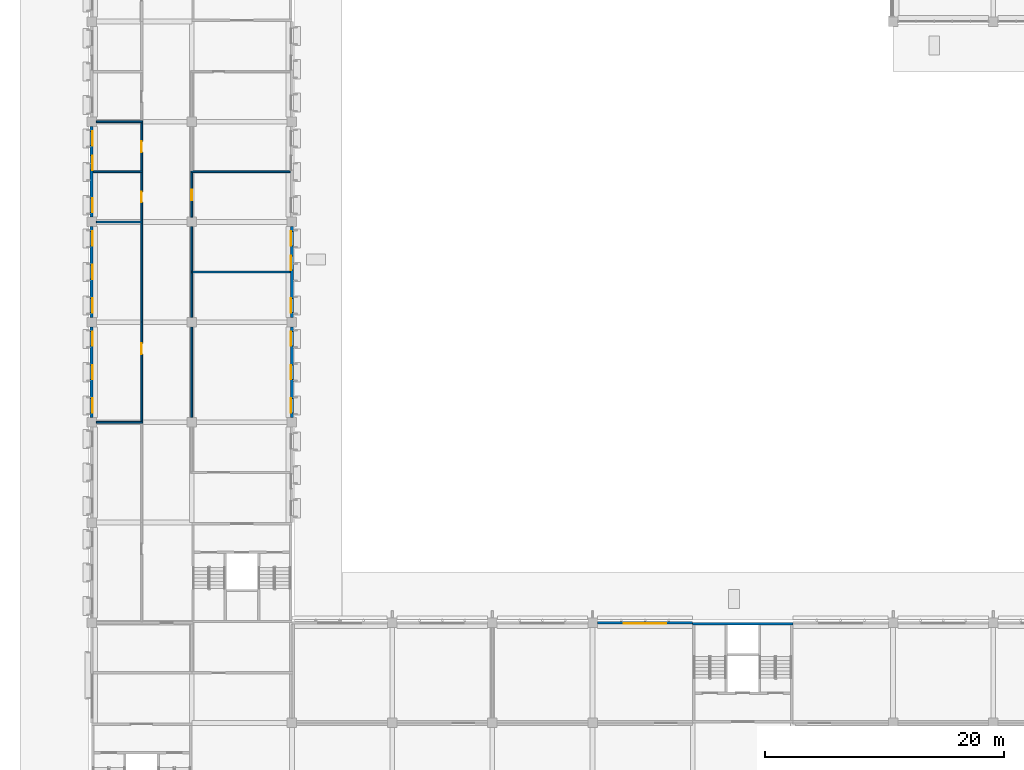
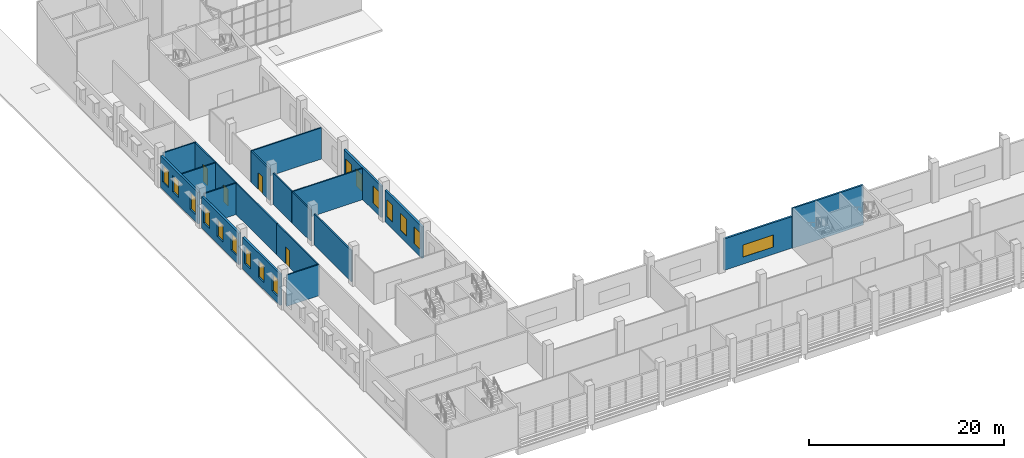
# One storey, part 30 of 101: 21 walls, 16 windows, 4 doors, 20 openings.
"""IFC4 building model written with IfcOpenShell, lengths in metres."""

import ifcopenshell
import ifcopenshell.guid

model = None  # the IFC model being written
_history = None  # IfcOwnerHistory: only IFC2X3 demands one
_inside = {}  # id of a spatial element -> (the spatial element, [elements in it])
_under = {}  # id of a project, library or spatial element -> (it, [spatial elements below it])
_declared = {}  # id of a project -> (the project, [libraries it declares])
_typed = {}  # id of a type object -> (the type object, [elements of that type])
_made_of = {}  # id of a material, layer set ... -> (it, [elements and type objects made of it])


def new_model(schema):
    """Start an empty IFC model of exactly this schema.

    Asked for "IFC4X3", IfcOpenShell would pick the latest addendum, in which some entities
    have other attributes; the version numbers below select the first issue.
    IFC2X3 requires an IfcOwnerHistory on every rooted entity: one is made here for all.
    """
    global model, _history
    if schema == "IFC4X3":
        model = ifcopenshell.file(schema_version=(4, 3, 0, 0))
    else:
        model = ifcopenshell.file(schema=schema)
    _inside.clear()
    _under.clear()
    _declared.clear()
    _typed.clear()
    _made_of.clear()
    _history = None
    if model.schema == "IFC2X3":
        org = make("IfcOrganization", Name="unknown")
        user = make(
            "IfcPersonAndOrganization",
            ThePerson=make("IfcPerson", FamilyName="unknown"),
            TheOrganization=org,
        )
        app = make(
            "IfcApplication",
            ApplicationDeveloper=org,
            Version="unknown",
            ApplicationFullName="unknown",
            ApplicationIdentifier="unknown",
        )
        _history = make(
            "IfcOwnerHistory",
            OwningUser=user,
            OwningApplication=app,
            ChangeAction="ADDED",
            CreationDate=0,
        )
    return model


def make(cls, **values):
    """One entity of the class cls with the attributes given. An attribute that is None is left unset."""
    return model.create_entity(
        cls, **{name: value for name, value in values.items() if value is not None}
    )


def rooted(cls, **values):
    """An entity with a GlobalId (a new one), such as an element, a storey or a relation."""
    return make(cls, GlobalId=ifcopenshell.guid.new(), OwnerHistory=_history, **values)


def si_unit(unit_type, name, prefix=None):
    """IfcSIUnit, for example si_unit("LENGTHUNIT", "METRE", prefix="MILLI")."""
    return make("IfcSIUnit", UnitType=unit_type, Prefix=prefix, Name=name)


def assignment(units):
    """IfcUnitAssignment: the units of a project."""
    return None if units is None else make("IfcUnitAssignment", Units=units)


def point(xyz):
    """IfcCartesianPoint."""
    return None if xyz is None else make("IfcCartesianPoint", Coordinates=xyz)


def direction(xyz):
    """IfcDirection."""
    return None if xyz is None else make("IfcDirection", DirectionRatios=xyz)


def frame(location, z_axis=None, x_axis=None):
    """IfcAxis2Placement3D, a coordinate frame: its origin and axes. An axis left out is left unset."""
    return make(
        "IfcAxis2Placement3D",
        Location=point(location),
        Axis=direction(z_axis),
        RefDirection=direction(x_axis),
    )


def frame_2d(location, x_axis=None):
    """IfcAxis2Placement2D, a coordinate frame in the plane: its origin and x axis."""
    return make(
        "IfcAxis2Placement2D", Location=point(location), RefDirection=direction(x_axis)
    )


def origin():
    """The frame at (0, 0, 0) with its axes left unset."""
    return frame((0.0, 0.0, 0.0))


def place(relative_to, where):
    """IfcLocalPlacement: puts the frame where relative to a parent placement (None: the world)."""
    return make(
        "IfcLocalPlacement", PlacementRelTo=relative_to, RelativePlacement=where
    )


def context(
    kind, dimensions, precision=None, world=None, true_north=None, identifier=None
):
    """IfcGeometricRepresentationContext, for example the 3D "Model" context."""
    return make(
        "IfcGeometricRepresentationContext",
        ContextIdentifier=identifier,
        ContextType=kind,
        CoordinateSpaceDimension=dimensions,
        Precision=precision,
        WorldCoordinateSystem=world,
        TrueNorth=true_north,
    )


def subcontext(parent, identifier, kind, view, scale=None):
    """IfcGeometricRepresentationSubContext, for example "Body" below "Model"."""
    return make(
        "IfcGeometricRepresentationSubContext",
        ContextIdentifier=identifier,
        ContextType=kind,
        ParentContext=parent,
        TargetScale=scale,
        TargetView=view,
    )


def project(units=None, contexts=None):
    """IfcProject with its units and contexts."""
    return rooted(
        "IfcProject",
        Name="project",
        RepresentationContexts=contexts,
        UnitsInContext=assignment(units),
    )


def spatial(cls, under=None, at=None, **own):
    """A site, building, storey or space (cls), placed at a placement, below another one or the project."""
    s = rooted(cls, ObjectPlacement=at, **own)
    if under is not None:
        _under.setdefault(under.id(), (under, []))[1].append(s)
    return s


def profile(cls, at=None, kind="AREA", **sizes):
    """A parametric profile (cls). Its sizes go by their IFC names, for example OverallWidth=200.0."""
    return make(cls, ProfileType=kind, Position=at, **sizes)


def rectangle(**sizes):
    """IfcRectangleProfileDef."""
    return profile("IfcRectangleProfileDef", **sizes)


def extrude(swept, where, along, depth):
    """IfcExtrudedAreaSolid: the profile swept, set in the frame where, extruded along a direction by depth."""
    return make(
        "IfcExtrudedAreaSolid",
        SweptArea=swept,
        Position=where,
        ExtrudedDirection=direction(along),
        Depth=depth,
    )


def shape(context_of_items, identifier, shape_type, items):
    """IfcShapeRepresentation: the items that make up one representation, for example the "Body"."""
    return make(
        "IfcShapeRepresentation",
        ContextOfItems=context_of_items,
        RepresentationIdentifier=identifier,
        RepresentationType=shape_type,
        Items=items,
    )


def material(Name=None, Category=None):
    """IfcMaterial."""
    return make("IfcMaterial", Name=Name, Category=Category)


def layer(
    of_material, thickness, ventilated=None, Name=None, Category=None, Priority=None
):
    """IfcMaterialLayer: one layer of a wall or slab, of a material (None: an air gap)."""
    return make(
        "IfcMaterialLayer",
        Material=of_material,
        LayerThickness=thickness,
        IsVentilated=ventilated,
        Name=Name,
        Category=Category,
        Priority=Priority,
    )


def layer_set(layers, Name=None):
    """IfcMaterialLayerSet."""
    return make("IfcMaterialLayerSet", MaterialLayers=layers, LayerSetName=Name)


def made_of(thing, what):
    """Note that an element or type object is made of a material, layer set ...; save() writes the relation."""
    if what is not None:
        _made_of.setdefault(what.id(), (what, []))[1].append(thing)
    return thing


def type_object(cls, material=None, **own):
    """A type object (cls), such as IfcWallType, which elements share."""
    return made_of(rooted(cls, **own), material)


def element(
    cls,
    number,
    at=None,
    inside=None,
    cuts=None,
    type_object=None,
    material=None,
    context=None,
    identifier="Body",
    shape_type=None,
    held_by="IfcProductDefinitionShape",
    body=None,
    shapes=None,
    **own,
):
    """One element of the class cls, such as IfcWall. Its Tag is "e" and its number.

    at: its placement. inside: the storey or other place that contains it. cuts: it is an
    opening in that element (IfcRelVoidsElement). A single representation is given by context,
    identifier, shape_type and body (its items); several are given by shapes. held_by: the class
    of the entity that holds the representations. save() writes the other relations.
    """
    e = rooted(cls, Tag="e%d" % number, ObjectPlacement=at, **own)
    if body is not None:
        shapes = [shape(context, identifier, shape_type, body)]
    if shapes is not None:
        e.Representation = make(held_by, Representations=shapes)
    if inside is not None:
        _inside.setdefault(inside.id(), (inside, []))[1].append(e)
    if cuts is not None:
        rooted(
            "IfcRelVoidsElement", RelatingBuildingElement=cuts, RelatedOpeningElement=e
        )
    if type_object is not None:
        _typed.setdefault(type_object.id(), (type_object, []))[1].append(e)
    return made_of(e, material)


def fill(opening, filler):
    """IfcRelFillsElement: the door or window that sits in an opening."""
    return rooted(
        "IfcRelFillsElement",
        RelatingOpeningElement=opening,
        RelatedBuildingElement=filler,
    )


def aggregate(whole, parts):
    """IfcRelAggregates: a whole, such as a stair, and the parts it consists of."""
    return rooted("IfcRelAggregates", RelatingObject=whole, RelatedObjects=parts)


def save(model, path):
    """Write the relations noted so far, then the file.

    IfcRelAggregates (storeys below a building ...), IfcRelContainedInSpatialStructure (elements
    in a storey), IfcRelDefinesByType, IfcRelAssociatesMaterial and IfcRelDeclares: one each for
    every whole, place, type object, material and project.
    """
    for whole, parts in _under.values():
        aggregate(whole, parts)
    for where, things in _inside.values():
        rooted(
            "IfcRelContainedInSpatialStructure",
            RelatedElements=things,
            RelatingStructure=where,
        )
    for kind, things in _typed.values():
        rooted("IfcRelDefinesByType", RelatedObjects=things, RelatingType=kind)
    for what, things in _made_of.values():
        rooted("IfcRelAssociatesMaterial", RelatedObjects=things, RelatingMaterial=what)
    for by, libraries in _declared.values():
        rooted("IfcRelDeclares", RelatingContext=by, RelatedDefinitions=libraries)
    model.write(path)


model = new_model("IFC4")

# Units and contexts
model_context = context("Model", 3, precision=1e-05, world=origin(), true_north=direction((0.0, 1.0)))
body_context = subcontext(model_context, "Body", "Model", "MODEL_VIEW")
ifc_project = project(units=[si_unit("LENGTHUNIT", "METRE"), si_unit("AREAUNIT", "SQUARE_METRE"), si_unit("VOLUMEUNIT", "CUBIC_METRE"), si_unit("PLANEANGLEUNIT", "RADIAN"), si_unit("MASSUNIT", "GRAM", prefix="KILO")], contexts=[model_context])

# Site, building, storey
site_placement = place(None, origin())
site = spatial("IfcSite", under=ifc_project, at=site_placement, CompositionType="ELEMENT")
building_placement = place(site_placement, origin())
building = spatial("IfcBuilding", under=site, at=building_placement, Name="Almond Square Museum", CompositionType="ELEMENT")
storey_placement = place(building_placement, frame((0.0, 0.0, 5.5)))
storey = spatial("IfcBuildingStorey", under=building, at=storey_placement, Name="L01", CompositionType="ELEMENT", Elevation=5.5)

# Walls
ifc_material_1 = material(Name="Plasterboard on steel stud", Category="steel")
ifc_layer_1 = layer(ifc_material_1, 0.14990234375)
ifc_layer_set_1 = layer_set([ifc_layer_1], Name="Plasterboard on steel stud")
wall_type_1 = type_object("IfcWallType", Name="Partition 150 plasterboard on steel stud", PredefinedType="PARTITIONING", material=ifc_layer_set_1)
wall_1_placement = place(storey_placement, frame((6.39990234375, 58.800048828125, 0.0), z_axis=(0.0, 0.0, 1.0), x_axis=(1.0, 0.0, 0.0)))
element("IfcWall", 1, at=wall_1_placement, inside=storey, type_object=wall_type_1, Name="L01 partition 41", PredefinedType="PARTITIONING", context=body_context, shape_type="SweptSolid", body=[
    extrude(rectangle(XDim=3.875, YDim=0.14990234375, at=frame_2d((1.9375, 0.0))), origin(), (0.0, 0.0, 1.0), 3.89990234375),
])
wall_2_placement = place(storey_placement, frame((6.14990234375, 54.60009765625, 0.0), z_axis=(0.0, 0.0, 1.0), x_axis=(1.0, 0.0, 0.0)))
element("IfcWall", 2, at=wall_2_placement, inside=storey, type_object=wall_type_1, Name="L01 partition 43", PredefinedType="PARTITIONING", context=body_context, shape_type="SweptSolid", body=[
    extrude(rectangle(XDim=4.125, YDim=0.14990234375, at=frame_2d((2.0625, 0.0))), origin(), (0.0, 0.0, 1.0), 3.89990234375),
])

# Wall, opening, door
wall_3_placement = place(storey_placement, frame((10.199951171875, 54.675048828125, 0.0), z_axis=(0.0, 0.0, 1.0), x_axis=(0.0, 1.0, 0.0)))
wall_3 = element("IfcWall", 3, at=wall_3_placement, inside=storey, type_object=wall_type_1, Name="L01 partition 44", PredefinedType="PARTITIONING", context=body_context, shape_type="SweptSolid", body=[
    extrude(rectangle(XDim=4.050048828125, YDim=0.14990234375, at=frame_2d((2.02490234375, 0.0))), origin(), (0.0, 0.0, 1.0), 3.89990234375),
])
opening_1_placement = place(wall_3_placement, frame((1.574951171875, 0.0, 0.0)))
opening_1 = element("IfcOpeningElement", 4, at=opening_1_placement, cuts=wall_3, Name="Opening D1112", PredefinedType="OPENING", context=body_context, shape_type="SweptSolid", body=[
    extrude(rectangle(XDim=0.89990234375, YDim=2.10009765625, at=frame_2d((0.449951171875, 1.050048828125))), frame((0.0, 0.0849609375, 0.0), z_axis=(0.0, -1.0, 0.0), x_axis=(1.0, 0.0, 0.0)), (0.0, 0.0, 1.0), 0.169921875),
])
ifc_material_2 = material(Name="Timber", Category="wood")
door_type = type_object("IfcDoorType", Name="Door 900 x 2100 timber single", OperationType="NOTDEFINED", PredefinedType="DOOR", material=ifc_material_2)
door_1_placement = place(opening_1_placement, origin())
door_1 = element("IfcDoor", 5, at=door_1_placement, inside=storey, type_object=door_type, Name="L01 door Men's WC 2 to Wing Corridor 3", OperationType="SINGLE_SWING_LEFT", OverallHeight=2.10009765625, OverallWidth=0.89990234375, PredefinedType="DOOR", context=body_context, shape_type="SweptSolid", body=[
    extrude(rectangle(XDim=0.89990234375, YDim=2.10009765625, at=frame_2d((0.449951171875, 1.050048828125))), frame((0.0, 0.02490234375, 0.0), z_axis=(0.0, -1.0, 0.0), x_axis=(1.0, 0.0, 0.0)), (0.0, 0.0, 1.0), 0.050048828125),
])
fill(opening_1, door_1)

# Wall
wall_4_placement = place(storey_placement, frame((14.324951171875, 54.60009765625, 0.0), z_axis=(0.0, 0.0, 1.0), x_axis=(1.0, 0.0, 0.0)))
element("IfcWall", 6, at=wall_4_placement, inside=storey, type_object=wall_type_1, Name="L01 partition 45", PredefinedType="PARTITIONING", context=body_context, shape_type="SweptSolid", body=[
    extrude(rectangle(XDim=8.324951171875, YDim=0.14990234375, at=frame_2d((4.16259765625, 0.0))), origin(), (0.0, 0.0, 1.0), 3.89990234375),
])

# Wall, opening, door
wall_5_placement = place(storey_placement, frame((10.199951171875, 50.47509765625, 0.0), z_axis=(0.0, 0.0, 1.0), x_axis=(0.0, 1.0, 0.0)))
wall_5 = element("IfcWall", 7, at=wall_5_placement, inside=storey, type_object=wall_type_1, Name="L01 partition 49", PredefinedType="PARTITIONING", context=body_context, shape_type="SweptSolid", body=[
    extrude(rectangle(XDim=4.0498046875, YDim=0.14990234375, at=frame_2d((2.02490234375, 0.0))), origin(), (0.0, 0.0, 1.0), 3.89990234375),
])
opening_2_placement = place(wall_5_placement, frame((1.574951171875, 0.0, 0.0)))
opening_2 = element("IfcOpeningElement", 8, at=opening_2_placement, cuts=wall_5, Name="Opening D1115", PredefinedType="OPENING", context=body_context, shape_type="SweptSolid", body=[
    extrude(rectangle(XDim=0.89990234375, YDim=2.10009765625, at=frame_2d((0.449951171875, 1.050048828125))), frame((0.0, 0.0849609375, 0.0), z_axis=(0.0, -1.0, 0.0), x_axis=(1.0, 0.0, 0.0)), (0.0, 0.0, 1.0), 0.169921875),
])
door_2_placement = place(opening_2_placement, origin())
door_2 = element("IfcDoor", 9, at=door_2_placement, inside=storey, type_object=door_type, Name="L01 door Women's WC 2 to Wing Corridor 3", OperationType="SINGLE_SWING_LEFT", OverallHeight=2.10009765625, OverallWidth=0.89990234375, PredefinedType="DOOR", context=body_context, shape_type="SweptSolid", body=[
    extrude(rectangle(XDim=0.89990234375, YDim=2.10009765625, at=frame_2d((0.449951171875, 1.050048828125))), frame((0.0, 0.02490234375, 0.0), z_axis=(0.0, -1.0, 0.0), x_axis=(1.0, 0.0, 0.0)), (0.0, 0.0, 1.0), 0.050048828125),
])
fill(opening_2, door_2)

# Walls
wall_6_placement = place(storey_placement, frame((6.39990234375, 50.39990234375, 0.0), z_axis=(0.0, 0.0, 1.0), x_axis=(1.0, 0.0, 0.0)))
element("IfcWall", 10, at=wall_6_placement, inside=storey, type_object=wall_type_1, Name="L01 partition 50", PredefinedType="PARTITIONING", context=body_context, shape_type="SweptSolid", body=[
    extrude(rectangle(XDim=3.875, YDim=0.14990234375, at=frame_2d((1.9375, 0.0))), origin(), (0.0, 0.0, 1.0), 3.89990234375),
])
wall_7_placement = place(storey_placement, frame((14.39990234375, 46.27490234375, 0.0), z_axis=(0.0, 0.0, 1.0), x_axis=(0.0, 1.0, 0.0)))
element("IfcWall", 11, at=wall_7_placement, inside=storey, type_object=wall_type_1, Name="L01 partition 51", PredefinedType="PARTITIONING", context=body_context, shape_type="SweptSolid", body=[
    extrude(rectangle(XDim=3.72509765625, YDim=0.14990234375, at=frame_2d((1.862548828125, 0.0))), origin(), (0.0, 0.0, 1.0), 3.89990234375),
])

# Wall, opening, door
wall_8_placement = place(storey_placement, frame((14.39990234375, 50.800048828125, 0.0), z_axis=(0.0, 0.0, 1.0), x_axis=(0.0, 1.0, 0.0)))
wall_8 = element("IfcWall", 12, at=wall_8_placement, inside=storey, type_object=wall_type_1, Name="L01 partition 52", PredefinedType="PARTITIONING", context=body_context, shape_type="SweptSolid", body=[
    extrude(rectangle(XDim=3.724853515625, YDim=0.14990234375, at=frame_2d((1.8623046875, 0.0))), origin(), (0.0, 0.0, 1.0), 3.89990234375),
])
opening_3_placement = place(wall_8_placement, frame((1.41259765625, 0.0, 0.0)))
opening_3 = element("IfcOpeningElement", 13, at=opening_3_placement, cuts=wall_8, Name="Opening D1116", PredefinedType="OPENING", context=body_context, shape_type="SweptSolid", body=[
    extrude(rectangle(XDim=0.89990234375, YDim=2.10009765625, at=frame_2d((0.449951171875, 1.050048828125))), frame((0.0, 0.0849609375, 0.0), z_axis=(0.0, -1.0, 0.0), x_axis=(1.0, 0.0, 0.0)), (0.0, 0.0, 1.0), 0.169921875),
])
door_3_placement = place(opening_3_placement, origin())
door_3 = element("IfcDoor", 14, at=door_3_placement, inside=storey, type_object=door_type, Name="L01 door Study Room 2 to Wing Corridor 3", OperationType="SINGLE_SWING_RIGHT", OverallHeight=2.10009765625, OverallWidth=0.89990234375, PredefinedType="DOOR", context=body_context, shape_type="SweptSolid", body=[
    extrude(rectangle(XDim=0.89990234375, YDim=2.10009765625, at=frame_2d((0.449951171875, 1.050048828125))), frame((0.0, 0.02490234375, 0.0), z_axis=(0.0, -1.0, 0.0), x_axis=(1.0, 0.0, 0.0)), (0.0, 0.0, 1.0), 0.050048828125),
])
fill(opening_3, door_3)

# Wall
wall_9_placement = place(storey_placement, frame((14.324951171875, 46.199951171875, 0.0), z_axis=(0.0, 0.0, 1.0), x_axis=(1.0, 0.0, 0.0)))
element("IfcWall", 15, at=wall_9_placement, inside=storey, type_object=wall_type_1, Name="L01 partition 53", PredefinedType="PARTITIONING", context=body_context, shape_type="SweptSolid", body=[
    extrude(rectangle(XDim=8.324951171875, YDim=0.14990234375, at=frame_2d((4.16259765625, 0.0))), origin(), (0.0, 0.0, 1.0), 3.89990234375),
])

# Wall, opening, door
wall_10_placement = place(storey_placement, frame((10.199951171875, 33.675048828125, 0.0), z_axis=(0.0, 0.0, 1.0), x_axis=(0.0, 1.0, 0.0)))
wall_10 = element("IfcWall", 16, at=wall_10_placement, inside=storey, type_object=wall_type_1, Name="L01 partition 54", PredefinedType="PARTITIONING", context=body_context, shape_type="SweptSolid", body=[
    extrude(rectangle(XDim=8.324951171875, YDim=0.14990234375, at=frame_2d((4.16259765625, 0.0))), origin(), (0.0, 0.0, 1.0), 3.89990234375),
])
opening_4_placement = place(wall_10_placement, frame((5.64990234375, 0.0, 0.0)))
opening_4 = element("IfcOpeningElement", 17, at=opening_4_placement, cuts=wall_10, Name="Opening D1117", PredefinedType="OPENING", context=body_context, shape_type="SweptSolid", body=[
    extrude(rectangle(XDim=0.89990234375, YDim=2.10009765625, at=frame_2d((0.449951171875, 1.050048828125))), frame((0.0, 0.0849609375, 0.0), z_axis=(0.0, -1.0, 0.0), x_axis=(1.0, 0.0, 0.0)), (0.0, 0.0, 1.0), 0.169921875),
])
door_4_placement = place(opening_4_placement, origin())
door_4 = element("IfcDoor", 18, at=door_4_placement, inside=storey, type_object=door_type, Name="L01 door Staff Meeting Room 2 to Wing Corridor 3", OperationType="SINGLE_SWING_LEFT", OverallHeight=2.10009765625, OverallWidth=0.89990234375, PredefinedType="DOOR", context=body_context, shape_type="SweptSolid", body=[
    extrude(rectangle(XDim=0.89990234375, YDim=2.10009765625, at=frame_2d((0.449951171875, 1.050048828125))), frame((0.0, 0.02490234375, 0.0), z_axis=(0.0, -1.0, 0.0), x_axis=(1.0, 0.0, 0.0)), (0.0, 0.0, 1.0), 0.050048828125),
])
fill(opening_4, door_4)

# Walls
wall_11_placement = place(storey_placement, frame((10.199951171875, 42.0, 0.0), z_axis=(0.0, 0.0, 1.0), x_axis=(0.0, 1.0, 0.0)))
element("IfcWall", 19, at=wall_11_placement, inside=storey, type_object=wall_type_1, Name="L01 partition 55", PredefinedType="PARTITIONING", context=body_context, shape_type="SweptSolid", body=[
    extrude(rectangle(XDim=8.324951171875, YDim=0.14990234375, at=frame_2d((4.16259765625, 0.0))), origin(), (0.0, 0.0, 1.0), 3.89990234375),
])
wall_12_placement = place(storey_placement, frame((14.39990234375, 34.0, 0.0), z_axis=(0.0, 0.0, 1.0), x_axis=(0.0, 1.0, 0.0)))
element("IfcWall", 20, at=wall_12_placement, inside=storey, type_object=wall_type_1, Name="L01 partition 57", PredefinedType="PARTITIONING", context=body_context, shape_type="SweptSolid", body=[
    extrude(rectangle(XDim=7.60009765625, YDim=0.14990234375, at=frame_2d((3.800048828125, 0.0))), origin(), (0.0, 0.0, 1.0), 3.89990234375),
])
wall_13_placement = place(storey_placement, frame((14.39990234375, 42.39990234375, 0.0), z_axis=(0.0, 0.0, 1.0), x_axis=(0.0, 1.0, 0.0)))
element("IfcWall", 21, at=wall_13_placement, inside=storey, type_object=wall_type_1, Name="L01 partition 58", PredefinedType="PARTITIONING", context=body_context, shape_type="SweptSolid", body=[
    extrude(rectangle(XDim=3.72509765625, YDim=0.14990234375, at=frame_2d((1.862548828125, 0.0))), origin(), (0.0, 0.0, 1.0), 3.89990234375),
])
wall_14_placement = place(storey_placement, frame((6.39990234375, 33.60009765625, 0.0), z_axis=(0.0, 0.0, 1.0), x_axis=(1.0, 0.0, 0.0)))
element("IfcWall", 22, at=wall_14_placement, inside=storey, type_object=wall_type_1, Name="L01 partition 62", PredefinedType="PARTITIONING", context=body_context, shape_type="SweptSolid", body=[
    extrude(rectangle(XDim=3.875, YDim=0.14990234375, at=frame_2d((1.9375, 0.0))), origin(), (0.0, 0.0, 1.0), 3.89990234375),
])

# Wall, openings, windows
ifc_material_3 = material(Name="Precast concrete C40/50", Category="concrete")
ifc_layer_2 = layer(ifc_material_3, 0.25)
ifc_layer_set_2 = layer_set([ifc_layer_2], Name="Precast concrete C40/50")
wall_type_2 = type_object("IfcWallType", Name="Precast concrete panel wall 250 with coral limestone piers", PredefinedType="SOLIDWALL", material=ifc_layer_set_2)
wall_15_placement = place(storey_placement, frame((22.800048828125, 34.0, 0.0), z_axis=(0.0, 0.0, 1.0), x_axis=(0.0, 1.0, 0.0)))
wall_15 = element("IfcWall", 23, at=wall_15_placement, inside=storey, type_object=wall_type_2, Name="External wall W2 V4W L01 E02", PredefinedType="SOLIDWALL", context=body_context, shape_type="SweptSolid", body=[
    extrude(rectangle(XDim=7.60009765625, YDim=0.25, at=frame_2d((3.800048828125, 0.0))), origin(), (0.0, 0.0, 1.0), 3.93994140625),
])
opening_5_placement = place(wall_15_placement, frame((0.39990234375, 0.0, 0.89990234375)))
opening_5 = element("IfcOpeningElement", 24, at=opening_5_placement, cuts=wall_15, Name="Opening W1020", PredefinedType="OPENING", context=body_context, shape_type="SweptSolid", body=[
    extrude(rectangle(XDim=1.199951171875, YDim=2.10009765625, at=frame_2d((0.60009765625, 1.050048828125))), frame((0.0, 0.135009765625, 0.0), z_axis=(0.0, -1.0, 0.0), x_axis=(1.0, 0.0, 0.0)), (0.0, 0.0, 1.0), 0.27001953125),
])
opening_6_placement = place(wall_15_placement, frame((3.199951171875, 0.0, 0.89990234375)))
opening_6 = element("IfcOpeningElement", 25, at=opening_6_placement, cuts=wall_15, Name="Opening W1021", PredefinedType="OPENING", context=body_context, shape_type="SweptSolid", body=[
    extrude(rectangle(XDim=1.199951171875, YDim=2.10009765625, at=frame_2d((0.60009765625, 1.050048828125))), frame((0.0, 0.135009765625, 0.0), z_axis=(0.0, -1.0, 0.0), x_axis=(1.0, 0.0, 0.0)), (0.0, 0.0, 1.0), 0.27001953125),
])
opening_7_placement = place(wall_15_placement, frame((6.0, 0.0, 0.89990234375)))
opening_7 = element("IfcOpeningElement", 26, at=opening_7_placement, cuts=wall_15, Name="Opening W1022", PredefinedType="OPENING", context=body_context, shape_type="SweptSolid", body=[
    extrude(rectangle(XDim=1.199951171875, YDim=2.10009765625, at=frame_2d((0.60009765625, 1.050048828125))), frame((0.0, 0.135009765625, 0.0), z_axis=(0.0, -1.0, 0.0), x_axis=(1.0, 0.0, 0.0)), (0.0, 0.0, 1.0), 0.27001953125),
])
ifc_material_4 = material(Name="Anodised aluminium louvre and laminated glass", Category="aluminium")
window_type_1 = type_object("IfcWindowType", Name="Louvred pier window", PartitioningType="SINGLE_PANEL", PredefinedType="WINDOW", material=ifc_material_4)
window_1_placement = place(opening_5_placement, origin())
window_1 = element("IfcWindow", 27, at=window_1_placement, inside=storey, type_object=window_type_1, Name="Louvred pier window W1020", OverallHeight=2.10009765625, OverallWidth=1.199951171875, PartitioningType="SINGLE_PANEL", PredefinedType="WINDOW", context=body_context, shape_type="SweptSolid", body=[
    extrude(rectangle(XDim=1.199951171875, YDim=2.10009765625, at=frame_2d((0.60009765625, 1.050048828125))), frame((0.0, 0.10498046875, 0.0), z_axis=(0.0, -1.0, 0.0), x_axis=(1.0, 0.0, 0.0)), (0.0, 0.0, 1.0), 0.06005859375),
])
fill(opening_5, window_1)
window_2_placement = place(opening_6_placement, origin())
window_2 = element("IfcWindow", 28, at=window_2_placement, inside=storey, type_object=window_type_1, Name="Louvred pier window W1021", OverallHeight=2.10009765625, OverallWidth=1.199951171875, PartitioningType="SINGLE_PANEL", PredefinedType="WINDOW", context=body_context, shape_type="SweptSolid", body=[
    extrude(rectangle(XDim=1.199951171875, YDim=2.10009765625, at=frame_2d((0.60009765625, 1.050048828125))), frame((0.0, 0.10498046875, 0.0), z_axis=(0.0, -1.0, 0.0), x_axis=(1.0, 0.0, 0.0)), (0.0, 0.0, 1.0), 0.06005859375),
])
fill(opening_6, window_2)
window_3_placement = place(opening_7_placement, origin())
window_3 = element("IfcWindow", 29, at=window_3_placement, inside=storey, type_object=window_type_1, Name="Louvred pier window W1022", OverallHeight=2.10009765625, OverallWidth=1.199951171875, PartitioningType="SINGLE_PANEL", PredefinedType="WINDOW", context=body_context, shape_type="SweptSolid", body=[
    extrude(rectangle(XDim=1.199951171875, YDim=2.10009765625, at=frame_2d((0.60009765625, 1.050048828125))), frame((0.0, 0.10498046875, 0.0), z_axis=(0.0, -1.0, 0.0), x_axis=(1.0, 0.0, 0.0)), (0.0, 0.0, 1.0), 0.06005859375),
])
fill(opening_7, window_3)

wall_16_placement = place(storey_placement, frame((22.800048828125, 42.39990234375, 0.0), z_axis=(0.0, 0.0, 1.0), x_axis=(0.0, 1.0, 0.0)))
wall_16 = element("IfcWall", 30, at=wall_16_placement, inside=storey, type_object=wall_type_2, Name="External wall W2 V4W L01 E03", PredefinedType="SOLIDWALL", context=body_context, shape_type="SweptSolid", body=[
    extrude(rectangle(XDim=7.60009765625, YDim=0.25, at=frame_2d((3.800048828125, 0.0))), origin(), (0.0, 0.0, 1.0), 3.93994140625),
])
opening_8_placement = place(wall_16_placement, frame((0.39990234375, 0.0, 0.89990234375)))
opening_8 = element("IfcOpeningElement", 31, at=opening_8_placement, cuts=wall_16, Name="Opening W1023", PredefinedType="OPENING", context=body_context, shape_type="SweptSolid", body=[
    extrude(rectangle(XDim=1.199951171875, YDim=2.10009765625, at=frame_2d((0.60009765625, 1.050048828125))), frame((0.0, 0.135009765625, 0.0), z_axis=(0.0, -1.0, 0.0), x_axis=(1.0, 0.0, 0.0)), (0.0, 0.0, 1.0), 0.27001953125),
])
opening_9_placement = place(wall_16_placement, frame((3.949951171875, 0.0, 0.89990234375)))
opening_9 = element("IfcOpeningElement", 32, at=opening_9_placement, cuts=wall_16, Name="Opening W1024", PredefinedType="OPENING", context=body_context, shape_type="SweptSolid", body=[
    extrude(rectangle(XDim=1.199951171875, YDim=2.10009765625, at=frame_2d((0.60009765625, 1.050048828125))), frame((0.0, 0.135009765625, 0.0), z_axis=(0.0, -1.0, 0.0), x_axis=(1.0, 0.0, 0.0)), (0.0, 0.0, 1.0), 0.27001953125),
])
opening_10_placement = place(wall_16_placement, frame((6.0, 0.0, 0.89990234375)))
opening_10 = element("IfcOpeningElement", 33, at=opening_10_placement, cuts=wall_16, Name="Opening W1025", PredefinedType="OPENING", context=body_context, shape_type="SweptSolid", body=[
    extrude(rectangle(XDim=1.199951171875, YDim=2.10009765625, at=frame_2d((0.60009765625, 1.050048828125))), frame((0.0, 0.135009765625, 0.0), z_axis=(0.0, -1.0, 0.0), x_axis=(1.0, 0.0, 0.0)), (0.0, 0.0, 1.0), 0.27001953125),
])
window_4_placement = place(opening_8_placement, origin())
window_4 = element("IfcWindow", 34, at=window_4_placement, inside=storey, type_object=window_type_1, Name="Louvred pier window W1023", OverallHeight=2.10009765625, OverallWidth=1.199951171875, PartitioningType="SINGLE_PANEL", PredefinedType="WINDOW", context=body_context, shape_type="SweptSolid", body=[
    extrude(rectangle(XDim=1.199951171875, YDim=2.10009765625, at=frame_2d((0.60009765625, 1.050048828125))), frame((0.0, 0.10498046875, 0.0), z_axis=(0.0, -1.0, 0.0), x_axis=(1.0, 0.0, 0.0)), (0.0, 0.0, 1.0), 0.06005859375),
])
fill(opening_8, window_4)
window_5_placement = place(opening_9_placement, origin())
window_5 = element("IfcWindow", 35, at=window_5_placement, inside=storey, type_object=window_type_1, Name="Louvred pier window W1024", OverallHeight=2.10009765625, OverallWidth=1.199951171875, PartitioningType="SINGLE_PANEL", PredefinedType="WINDOW", context=body_context, shape_type="SweptSolid", body=[
    extrude(rectangle(XDim=1.199951171875, YDim=2.10009765625, at=frame_2d((0.60009765625, 1.050048828125))), frame((0.0, 0.10498046875, 0.0), z_axis=(0.0, -1.0, 0.0), x_axis=(1.0, 0.0, 0.0)), (0.0, 0.0, 1.0), 0.06005859375),
])
fill(opening_9, window_5)
window_6_placement = place(opening_10_placement, origin())
window_6 = element("IfcWindow", 36, at=window_6_placement, inside=storey, type_object=window_type_1, Name="Louvred pier window W1025", OverallHeight=2.10009765625, OverallWidth=1.199951171875, PartitioningType="SINGLE_PANEL", PredefinedType="WINDOW", context=body_context, shape_type="SweptSolid", body=[
    extrude(rectangle(XDim=1.199951171875, YDim=2.10009765625, at=frame_2d((0.60009765625, 1.050048828125))), frame((0.0, 0.10498046875, 0.0), z_axis=(0.0, -1.0, 0.0), x_axis=(1.0, 0.0, 0.0)), (0.0, 0.0, 1.0), 0.06005859375),
])
fill(opening_10, window_6)

wall_17_placement = place(storey_placement, frame((6.0, 50.800048828125, 0.0), z_axis=(0.0, 0.0, 1.0), x_axis=(0.0, 1.0, 0.0)))
wall_17 = element("IfcWall", 37, at=wall_17_placement, inside=storey, type_object=wall_type_2, Name="External wall W2 V4W L01 W03", PredefinedType="SOLIDWALL", context=body_context, shape_type="SweptSolid", body=[
    extrude(rectangle(XDim=7.599853515625, YDim=0.25, at=frame_2d((3.7998046875, 0.0))), origin(), (0.0, 0.0, 1.0), 3.93994140625),
])
opening_11_placement = place(wall_17_placement, frame((0.39990234375, 0.0, 0.89990234375)))
opening_11 = element("IfcOpeningElement", 38, at=opening_11_placement, cuts=wall_17, Name="Opening W1044", PredefinedType="OPENING", context=body_context, shape_type="SweptSolid", body=[
    extrude(rectangle(XDim=1.199951171875, YDim=2.10009765625, at=frame_2d((0.60009765625, 1.050048828125))), frame((0.0, 0.135009765625, 0.0), z_axis=(0.0, -1.0, 0.0), x_axis=(1.0, 0.0, 0.0)), (0.0, 0.0, 1.0), 0.27001953125),
])
opening_12_placement = place(wall_17_placement, frame((3.949951171875, 0.0, 0.89990234375)))
opening_12 = element("IfcOpeningElement", 39, at=opening_12_placement, cuts=wall_17, Name="Opening W1045", PredefinedType="OPENING", context=body_context, shape_type="SweptSolid", body=[
    extrude(rectangle(XDim=1.199951171875, YDim=2.10009765625, at=frame_2d((0.60009765625, 1.050048828125))), frame((0.0, 0.135009765625, 0.0), z_axis=(0.0, -1.0, 0.0), x_axis=(1.0, 0.0, 0.0)), (0.0, 0.0, 1.0), 0.27001953125),
])
opening_13_placement = place(wall_17_placement, frame((6.0, 0.0, 0.89990234375)))
opening_13 = element("IfcOpeningElement", 40, at=opening_13_placement, cuts=wall_17, Name="Opening W1046", PredefinedType="OPENING", context=body_context, shape_type="SweptSolid", body=[
    extrude(rectangle(XDim=1.199951171875, YDim=2.10009765625, at=frame_2d((0.60009765625, 1.050048828125))), frame((0.0, 0.135009765625, 0.0), z_axis=(0.0, -1.0, 0.0), x_axis=(1.0, 0.0, 0.0)), (0.0, 0.0, 1.0), 0.27001953125),
])
window_7_placement = place(opening_11_placement, origin())
window_7 = element("IfcWindow", 41, at=window_7_placement, inside=storey, type_object=window_type_1, Name="Louvred pier window W1044", OverallHeight=2.10009765625, OverallWidth=1.199951171875, PartitioningType="SINGLE_PANEL", PredefinedType="WINDOW", context=body_context, shape_type="SweptSolid", body=[
    extrude(rectangle(XDim=1.199951171875, YDim=2.10009765625, at=frame_2d((0.60009765625, 1.050048828125))), frame((0.0, -0.044921875, 0.0), z_axis=(0.0, -1.0, 0.0), x_axis=(1.0, 0.0, 0.0)), (0.0, 0.0, 1.0), 0.06005859375),
])
fill(opening_11, window_7)
window_8_placement = place(opening_12_placement, origin())
window_8 = element("IfcWindow", 42, at=window_8_placement, inside=storey, type_object=window_type_1, Name="Louvred pier window W1045", OverallHeight=2.10009765625, OverallWidth=1.199951171875, PartitioningType="SINGLE_PANEL", PredefinedType="WINDOW", context=body_context, shape_type="SweptSolid", body=[
    extrude(rectangle(XDim=1.199951171875, YDim=2.10009765625, at=frame_2d((0.60009765625, 1.050048828125))), frame((0.0, -0.044921875, 0.0), z_axis=(0.0, -1.0, 0.0), x_axis=(1.0, 0.0, 0.0)), (0.0, 0.0, 1.0), 0.06005859375),
])
fill(opening_12, window_8)
window_9_placement = place(opening_13_placement, origin())
window_9 = element("IfcWindow", 43, at=window_9_placement, inside=storey, type_object=window_type_1, Name="Louvred pier window W1046", OverallHeight=2.10009765625, OverallWidth=1.199951171875, PartitioningType="SINGLE_PANEL", PredefinedType="WINDOW", context=body_context, shape_type="SweptSolid", body=[
    extrude(rectangle(XDim=1.199951171875, YDim=2.10009765625, at=frame_2d((0.60009765625, 1.050048828125))), frame((0.0, -0.044921875, 0.0), z_axis=(0.0, -1.0, 0.0), x_axis=(1.0, 0.0, 0.0)), (0.0, 0.0, 1.0), 0.06005859375),
])
fill(opening_13, window_9)

wall_18_placement = place(storey_placement, frame((6.0, 42.39990234375, 0.0), z_axis=(0.0, 0.0, 1.0), x_axis=(0.0, 1.0, 0.0)))
wall_18 = element("IfcWall", 44, at=wall_18_placement, inside=storey, type_object=wall_type_2, Name="External wall W2 V4W L01 W04", PredefinedType="SOLIDWALL", context=body_context, shape_type="SweptSolid", body=[
    extrude(rectangle(XDim=7.60009765625, YDim=0.25, at=frame_2d((3.800048828125, 0.0))), origin(), (0.0, 0.0, 1.0), 3.93994140625),
])
opening_14_placement = place(wall_18_placement, frame((0.39990234375, 0.0, 0.89990234375)))
opening_14 = element("IfcOpeningElement", 45, at=opening_14_placement, cuts=wall_18, Name="Opening W1047", PredefinedType="OPENING", context=body_context, shape_type="SweptSolid", body=[
    extrude(rectangle(XDim=1.199951171875, YDim=2.10009765625, at=frame_2d((0.60009765625, 1.050048828125))), frame((0.0, 0.135009765625, 0.0), z_axis=(0.0, -1.0, 0.0), x_axis=(1.0, 0.0, 0.0)), (0.0, 0.0, 1.0), 0.27001953125),
])
opening_15_placement = place(wall_18_placement, frame((3.199951171875, 0.0, 0.89990234375)))
opening_15 = element("IfcOpeningElement", 46, at=opening_15_placement, cuts=wall_18, Name="Opening W1048", PredefinedType="OPENING", context=body_context, shape_type="SweptSolid", body=[
    extrude(rectangle(XDim=1.199951171875, YDim=2.10009765625, at=frame_2d((0.60009765625, 1.050048828125))), frame((0.0, 0.135009765625, 0.0), z_axis=(0.0, -1.0, 0.0), x_axis=(1.0, 0.0, 0.0)), (0.0, 0.0, 1.0), 0.27001953125),
])
opening_16_placement = place(wall_18_placement, frame((6.0, 0.0, 0.89990234375)))
opening_16 = element("IfcOpeningElement", 47, at=opening_16_placement, cuts=wall_18, Name="Opening W1049", PredefinedType="OPENING", context=body_context, shape_type="SweptSolid", body=[
    extrude(rectangle(XDim=1.199951171875, YDim=2.10009765625, at=frame_2d((0.60009765625, 1.050048828125))), frame((0.0, 0.135009765625, 0.0), z_axis=(0.0, -1.0, 0.0), x_axis=(1.0, 0.0, 0.0)), (0.0, 0.0, 1.0), 0.27001953125),
])
window_10_placement = place(opening_14_placement, origin())
window_10 = element("IfcWindow", 48, at=window_10_placement, inside=storey, type_object=window_type_1, Name="Louvred pier window W1047", OverallHeight=2.10009765625, OverallWidth=1.199951171875, PartitioningType="SINGLE_PANEL", PredefinedType="WINDOW", context=body_context, shape_type="SweptSolid", body=[
    extrude(rectangle(XDim=1.199951171875, YDim=2.10009765625, at=frame_2d((0.60009765625, 1.050048828125))), frame((0.0, -0.044921875, 0.0), z_axis=(0.0, -1.0, 0.0), x_axis=(1.0, 0.0, 0.0)), (0.0, 0.0, 1.0), 0.06005859375),
])
fill(opening_14, window_10)
window_11_placement = place(opening_15_placement, origin())
window_11 = element("IfcWindow", 49, at=window_11_placement, inside=storey, type_object=window_type_1, Name="Louvred pier window W1048", OverallHeight=2.10009765625, OverallWidth=1.199951171875, PartitioningType="SINGLE_PANEL", PredefinedType="WINDOW", context=body_context, shape_type="SweptSolid", body=[
    extrude(rectangle(XDim=1.199951171875, YDim=2.10009765625, at=frame_2d((0.60009765625, 1.050048828125))), frame((0.0, -0.044921875, 0.0), z_axis=(0.0, -1.0, 0.0), x_axis=(1.0, 0.0, 0.0)), (0.0, 0.0, 1.0), 0.06005859375),
])
fill(opening_15, window_11)
window_12_placement = place(opening_16_placement, origin())
window_12 = element("IfcWindow", 50, at=window_12_placement, inside=storey, type_object=window_type_1, Name="Louvred pier window W1049", OverallHeight=2.10009765625, OverallWidth=1.199951171875, PartitioningType="SINGLE_PANEL", PredefinedType="WINDOW", context=body_context, shape_type="SweptSolid", body=[
    extrude(rectangle(XDim=1.199951171875, YDim=2.10009765625, at=frame_2d((0.60009765625, 1.050048828125))), frame((0.0, -0.044921875, 0.0), z_axis=(0.0, -1.0, 0.0), x_axis=(1.0, 0.0, 0.0)), (0.0, 0.0, 1.0), 0.06005859375),
])
fill(opening_16, window_12)

wall_19_placement = place(storey_placement, frame((6.0, 34.0, 0.0), z_axis=(0.0, 0.0, 1.0), x_axis=(0.0, 1.0, 0.0)))
wall_19 = element("IfcWall", 51, at=wall_19_placement, inside=storey, type_object=wall_type_2, Name="External wall W2 V4W L01 W05", PredefinedType="SOLIDWALL", context=body_context, shape_type="SweptSolid", body=[
    extrude(rectangle(XDim=7.60009765625, YDim=0.25, at=frame_2d((3.800048828125, 0.0))), origin(), (0.0, 0.0, 1.0), 3.93994140625),
])
opening_17_placement = place(wall_19_placement, frame((0.39990234375, 0.0, 0.89990234375)))
opening_17 = element("IfcOpeningElement", 52, at=opening_17_placement, cuts=wall_19, Name="Opening W1050", PredefinedType="OPENING", context=body_context, shape_type="SweptSolid", body=[
    extrude(rectangle(XDim=1.199951171875, YDim=2.10009765625, at=frame_2d((0.60009765625, 1.050048828125))), frame((0.0, 0.135009765625, 0.0), z_axis=(0.0, -1.0, 0.0), x_axis=(1.0, 0.0, 0.0)), (0.0, 0.0, 1.0), 0.27001953125),
])
opening_18_placement = place(wall_19_placement, frame((3.199951171875, 0.0, 0.89990234375)))
opening_18 = element("IfcOpeningElement", 53, at=opening_18_placement, cuts=wall_19, Name="Opening W1051", PredefinedType="OPENING", context=body_context, shape_type="SweptSolid", body=[
    extrude(rectangle(XDim=1.199951171875, YDim=2.10009765625, at=frame_2d((0.60009765625, 1.050048828125))), frame((0.0, 0.135009765625, 0.0), z_axis=(0.0, -1.0, 0.0), x_axis=(1.0, 0.0, 0.0)), (0.0, 0.0, 1.0), 0.27001953125),
])
opening_19_placement = place(wall_19_placement, frame((6.0, 0.0, 0.89990234375)))
opening_19 = element("IfcOpeningElement", 54, at=opening_19_placement, cuts=wall_19, Name="Opening W1052", PredefinedType="OPENING", context=body_context, shape_type="SweptSolid", body=[
    extrude(rectangle(XDim=1.199951171875, YDim=2.10009765625, at=frame_2d((0.60009765625, 1.050048828125))), frame((0.0, 0.135009765625, 0.0), z_axis=(0.0, -1.0, 0.0), x_axis=(1.0, 0.0, 0.0)), (0.0, 0.0, 1.0), 0.27001953125),
])
window_13_placement = place(opening_17_placement, origin())
window_13 = element("IfcWindow", 55, at=window_13_placement, inside=storey, type_object=window_type_1, Name="Louvred pier window W1050", OverallHeight=2.10009765625, OverallWidth=1.199951171875, PartitioningType="SINGLE_PANEL", PredefinedType="WINDOW", context=body_context, shape_type="SweptSolid", body=[
    extrude(rectangle(XDim=1.199951171875, YDim=2.10009765625, at=frame_2d((0.60009765625, 1.050048828125))), frame((0.0, -0.044921875, 0.0), z_axis=(0.0, -1.0, 0.0), x_axis=(1.0, 0.0, 0.0)), (0.0, 0.0, 1.0), 0.06005859375),
])
fill(opening_17, window_13)
window_14_placement = place(opening_18_placement, origin())
window_14 = element("IfcWindow", 56, at=window_14_placement, inside=storey, type_object=window_type_1, Name="Louvred pier window W1051", OverallHeight=2.10009765625, OverallWidth=1.199951171875, PartitioningType="SINGLE_PANEL", PredefinedType="WINDOW", context=body_context, shape_type="SweptSolid", body=[
    extrude(rectangle(XDim=1.199951171875, YDim=2.10009765625, at=frame_2d((0.60009765625, 1.050048828125))), frame((0.0, -0.044921875, 0.0), z_axis=(0.0, -1.0, 0.0), x_axis=(1.0, 0.0, 0.0)), (0.0, 0.0, 1.0), 0.06005859375),
])
fill(opening_18, window_14)
window_15_placement = place(opening_19_placement, origin())
window_15 = element("IfcWindow", 57, at=window_15_placement, inside=storey, type_object=window_type_1, Name="Louvred pier window W1052", OverallHeight=2.10009765625, OverallWidth=1.199951171875, PartitioningType="SINGLE_PANEL", PredefinedType="WINDOW", context=body_context, shape_type="SweptSolid", body=[
    extrude(rectangle(XDim=1.199951171875, YDim=2.10009765625, at=frame_2d((0.60009765625, 1.050048828125))), frame((0.0, -0.044921875, 0.0), z_axis=(0.0, -1.0, 0.0), x_axis=(1.0, 0.0, 0.0)), (0.0, 0.0, 1.0), 0.06005859375),
])
fill(opening_19, window_15)

# Wall
ifc_material_5 = material(Name="Concrete C40/50", Category="concrete")
ifc_layer_3 = layer(ifc_material_5, 0.199951171875)
ifc_layer_set_3 = layer_set([ifc_layer_3], Name="Concrete C40/50")
wall_type_3 = type_object("IfcWallType", Name="RC shear wall 200 C40/50", PredefinedType="SHEAR", material=ifc_layer_set_3)
wall_20_placement = place(storey_placement, frame((56.39990234375, 16.699951171875, 0.0), z_axis=(0.0, 0.0, 1.0), x_axis=(1.0, 0.0, 0.0)))
element("IfcWall", 58, at=wall_20_placement, inside=storey, type_object=wall_type_3, Name="Core S2 north wall L01", PredefinedType="SHEAR", context=body_context, shape_type="SweptSolid", body=[
    extrude(rectangle(XDim=8.400146484375, YDim=0.199951171875, at=frame_2d((4.2001953125, 0.0))), origin(), (0.0, 0.0, 1.0), 5.0),
])

# Wall, opening, window
ifc_material_6 = material(Name="Concrete C30/37", Category="concrete")
ifc_layer_4 = layer(ifc_material_6, 0.219970703125)
ifc_layer_set_4 = layer_set([ifc_layer_4], Name="Concrete C30/37")
wall_type_4 = type_object("IfcWallType", Name="Stucco panel wall 220 with insulation", PredefinedType="SOLIDWALL", material=ifc_layer_set_4)
wall_21_placement = place(storey_placement, frame((48.39990234375, 16.800048828125, 0.0), z_axis=(0.0, 0.0, 1.0), x_axis=(1.0, 0.0, 0.0)))
wall_21 = element("IfcWall", 59, at=wall_21_placement, inside=storey, type_object=wall_type_4, Name="External wall W4 V5S L01 N08", PredefinedType="SOLIDWALL", context=body_context, shape_type="SweptSolid", body=[
    extrude(rectangle(XDim=8.0, YDim=0.219970703125, at=frame_2d((4.0, 0.0))), origin(), (0.0, 0.0, 1.0), 3.93994140625),
])
opening_20_placement = place(wall_21_placement, frame((2.199951171875, 0.0, 0.89990234375)))
opening_20 = element("IfcOpeningElement", 60, at=opening_20_placement, cuts=wall_21, Name="Opening W1013", PredefinedType="OPENING", context=body_context, shape_type="SweptSolid", body=[
    extrude(rectangle(XDim=3.60009765625, YDim=1.5, at=frame_2d((1.800048828125, 0.75))), frame((0.0, 0.119873046875, 0.0), z_axis=(0.0, -1.0, 0.0), x_axis=(1.0, 0.0, 0.0)), (0.0, 0.0, 1.0), 0.239990234375),
])
ifc_material_7 = material(Name="Aluminium frame and laminated glass", Category="aluminium")
window_type_2 = type_object("IfcWindowType", Name="Office ribbon window", PartitioningType="SINGLE_PANEL", PredefinedType="WINDOW", material=ifc_material_7)
window_16_placement = place(opening_20_placement, origin())
window_16 = element("IfcWindow", 61, at=window_16_placement, inside=storey, type_object=window_type_2, Name="Office ribbon window W1013", OverallHeight=1.5, OverallWidth=3.60009765625, PartitioningType="DOUBLE_PANEL_VERTICAL", PredefinedType="WINDOW", context=body_context, shape_type="SweptSolid", body=[
    extrude(rectangle(XDim=3.60009765625, YDim=1.5, at=frame_2d((1.800048828125, 0.75))), frame((0.0, -0.030029296875, 0.0), z_axis=(0.0, -1.0, 0.0), x_axis=(1.0, 0.0, 0.0)), (0.0, 0.0, 1.0), 0.06005859375),
])
fill(opening_20, window_16)

save(model, "model.ifc")
